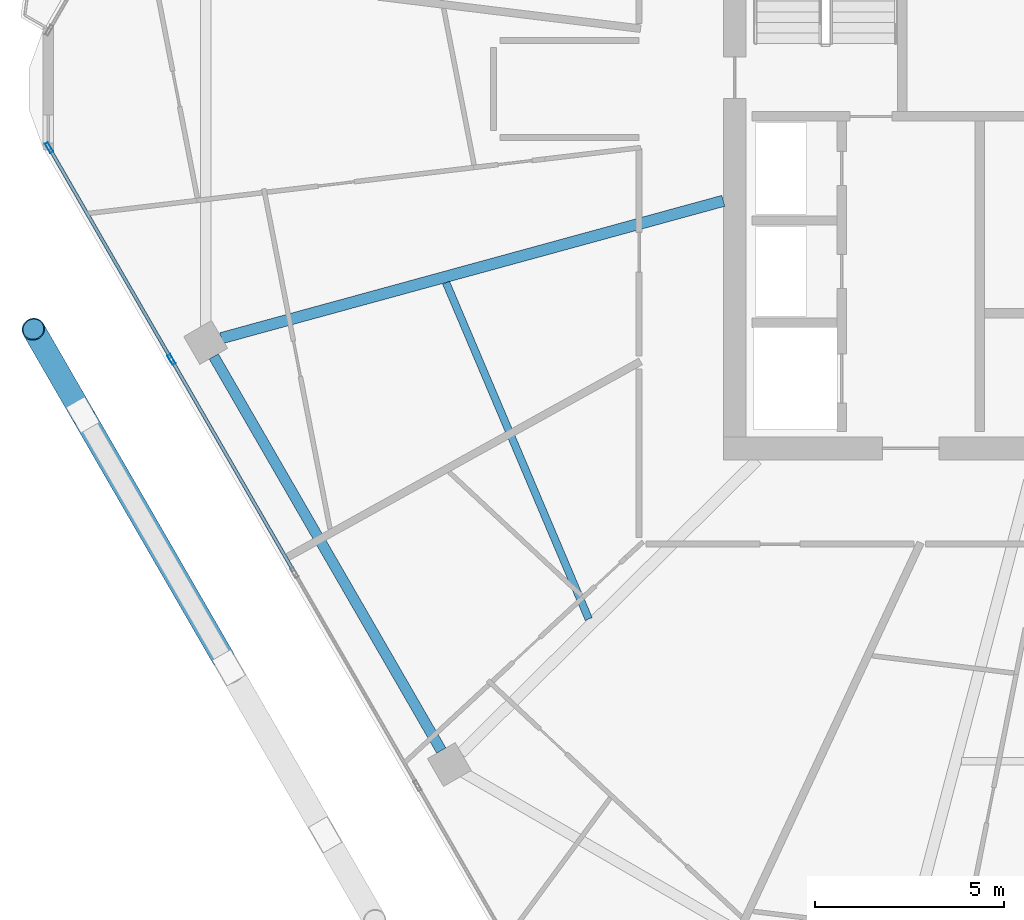
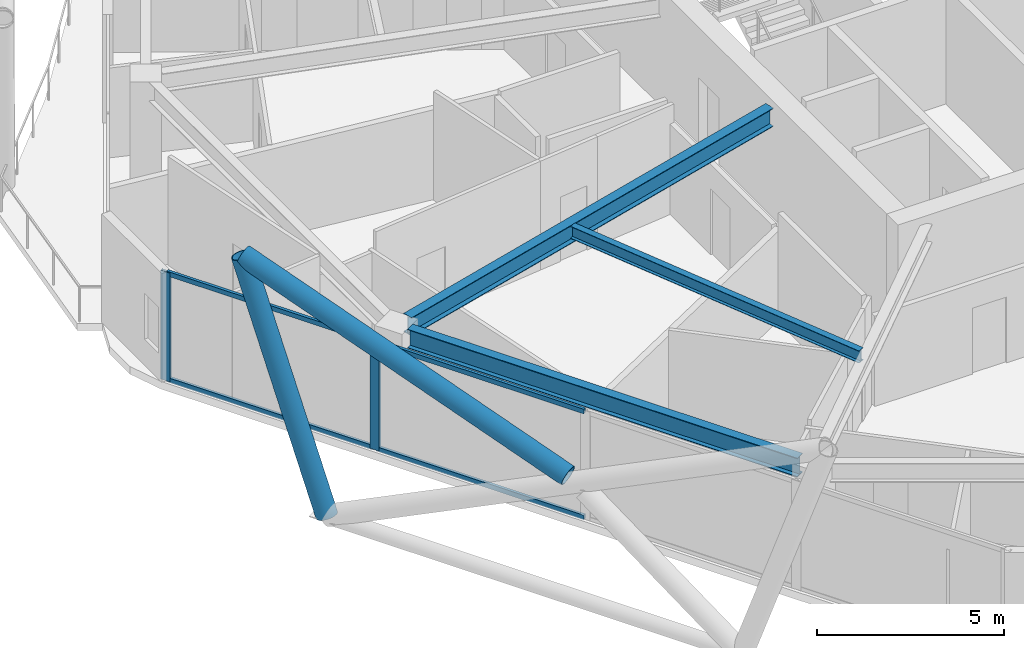
# One storey, part 5 of 29: 8 members, 3 beams, 1 element without a shape of its own.
"""IFC4 building model written with IfcOpenShell, lengths in metres."""

from ifc_helpers import new_model, si_unit, direction, frame, origin, origin_2d, place, context, subcontext, project, spatial, hollow_rectangle, hollow_circle, i_section, extrude, material, material_profile, profile_set, type_object, element, aggregate, save


model = new_model("IFC4")

# Units and contexts
model_context = context("Model", 3, precision=1e-05, world=origin(), true_north=direction((0.0, 1.0)))
body_context = subcontext(model_context, "Body", "Model", "MODEL_VIEW")
ifc_project = project(units=[si_unit("LENGTHUNIT", "METRE"), si_unit("AREAUNIT", "SQUARE_METRE"), si_unit("VOLUMEUNIT", "CUBIC_METRE"), si_unit("PLANEANGLEUNIT", "RADIAN"), si_unit("MASSUNIT", "GRAM", prefix="KILO")], contexts=[model_context])

# Site, building, storey
site_placement = place(None, origin())
site = spatial("IfcSite", under=ifc_project, at=site_placement, CompositionType="ELEMENT")
building_placement = place(site_placement, origin())
building = spatial("IfcBuilding", under=site, at=building_placement, Name="Zuhravey Tower", CompositionType="ELEMENT")
storey_placement = place(building_placement, frame((0.0, 0.0, 269.199951171875)))
storey = spatial("IfcBuildingStorey", under=building, at=storey_placement, Name="L68", CompositionType="ELEMENT", Elevation=269.199951171875)

# Curtain wall, members
ifc_material_1 = material(Name="Thermally broken anodised aluminium", Category="aluminium")
curtain_wall_type = type_object("IfcCurtainWallType", Name="Zone 3-4 High-Rise Curtain Wall CW4", PredefinedType="NOTDEFINED", material=ifc_material_1)
curtain_wall_placement = place(storey_placement, origin())
curtain_wall = element("IfcCurtainWall", 1, at=curtain_wall_placement, inside=storey, type_object=curtain_wall_type, Name="L68 CW4 CW-L68-F4-1", PredefinedType="NOTDEFINED")
ifc_material_2 = material(Name="Anodised aluminium", Category="aluminium")
ifc_material_profile_1 = material_profile(ifc_material_2, hollow_rectangle(XDim=0.090087890625, YDim=0.284912109375, WallThickness=0.0048828125, at=origin_2d()), Name="ALU-RHS-90x285x5")
ifc_profile_set_1 = profile_set([ifc_material_profile_1], Name="Anodised aluminium")
member_type_1 = type_object("IfcMemberType", Name="Curtain-Wall Mullion 90x180", PredefinedType="MULLION", material=ifc_profile_set_1)
member_1_placement = place(storey_placement, frame((10.608154296875, 24.852783203125, 0.0), z_axis=(0.0, 0.0, 1.0), x_axis=(-0.866024851021, -0.500000957414, 0.0)))
member_1 = element("IfcMember", 2, at=member_1_placement, type_object=member_type_1, Name="CW4 mullion 4", PredefinedType="MULLION", context=body_context, shape_type="SweptSolid", body=[
    extrude(hollow_rectangle(XDim=0.090087890625, YDim=0.284912109375, WallThickness=0.0048828125, at=origin_2d()), origin(), (0.0, 0.0, 1.0), 3.550048828125),
])
member_2_placement = place(storey_placement, frame((7.37744140625, 30.448486328125, 0.0), z_axis=(0.0, 0.0, 1.0), x_axis=(-0.866024851021, -0.500000957414, 0.0)))
member_2 = element("IfcMember", 3, at=member_2_placement, type_object=member_type_1, Name="CW4 mullion 5", PredefinedType="MULLION", context=body_context, shape_type="SweptSolid", body=[
    extrude(hollow_rectangle(XDim=0.090087890625, YDim=0.284912109375, WallThickness=0.0048828125, at=origin_2d()), origin(), (0.0, 0.0, 1.0), 3.550048828125),
])
ifc_material_profile_2 = material_profile(ifc_material_2, hollow_rectangle(XDim=0.090087890625, YDim=0.14990234375, WallThickness=0.0048828125, at=origin_2d()), Name="ALU-RHS-90x150x5")
ifc_profile_set_2 = profile_set([ifc_material_profile_2], Name="Anodised aluminium")
member_type_2 = type_object("IfcMemberType", Name="Curtain-Wall Transom 90x150", PredefinedType="USERDEFINED", material=ifc_profile_set_2)
member_3_placement = place(storey_placement, frame((13.8388671875, 19.257080078125, 0.045166015625), z_axis=(-0.499998017366, 0.866026548456, 0.0), x_axis=(-0.866026548456, -0.499998017366, 0.0)))
member_3 = element("IfcMember", 4, at=member_3_placement, type_object=member_type_2, Name="CW4 transom 3.1", ObjectType="TRANSOM", PredefinedType="USERDEFINED", context=body_context, shape_type="SweptSolid", body=[
    extrude(hollow_rectangle(XDim=0.090087890625, YDim=0.14990234375, WallThickness=0.0048828125, at=origin_2d()), origin(), (0.0, 0.0, 1.0), 6.41650390625),
])
member_4_placement = place(storey_placement, frame((13.8388671875, 19.257080078125, 3.505126953125), z_axis=(-0.499998017366, 0.866026548456, 0.0), x_axis=(-0.866026548456, -0.499998017366, 0.0)))
member_4 = element("IfcMember", 5, at=member_4_placement, type_object=member_type_2, Name="CW4 transom 3.2", ObjectType="TRANSOM", PredefinedType="USERDEFINED", context=body_context, shape_type="SweptSolid", body=[
    extrude(hollow_rectangle(XDim=0.090087890625, YDim=0.14990234375, WallThickness=0.0048828125, at=origin_2d()), origin(), (0.0, 0.0, 1.0), 6.41650390625),
])
member_5_placement = place(storey_placement, frame((10.585693359375, 24.891845703125, 0.045166015625), z_axis=(-0.500008810174, 0.866020317169, 0.0), x_axis=(-0.866020317169, -0.500008810174, 0.0)))
member_5 = element("IfcMember", 6, at=member_5_placement, type_object=member_type_2, Name="CW4 transom 4.1", ObjectType="TRANSOM", PredefinedType="USERDEFINED", context=body_context, shape_type="SweptSolid", body=[
    extrude(hollow_rectangle(XDim=0.090087890625, YDim=0.14990234375, WallThickness=0.0048828125, at=origin_2d()), origin(), (0.0, 0.0, 1.0), 6.37158203125),
])
member_6_placement = place(storey_placement, frame((10.585693359375, 24.891845703125, 3.505126953125), z_axis=(-0.500008810174, 0.866020317169, 0.0), x_axis=(-0.866020317169, -0.500008810174, 0.0)))
member_6 = element("IfcMember", 7, at=member_6_placement, type_object=member_type_2, Name="CW4 transom 4.2", ObjectType="TRANSOM", PredefinedType="USERDEFINED", context=body_context, shape_type="SweptSolid", body=[
    extrude(hollow_rectangle(XDim=0.090087890625, YDim=0.14990234375, WallThickness=0.0048828125, at=origin_2d()), origin(), (0.0, 0.0, 1.0), 6.37158203125),
])
aggregate(curtain_wall, [member_1, member_2, member_3, member_4, member_5, member_6])

# Members
ifc_material_3 = material(Name="Steel SM355", Category="steel")
ifc_material_profile_3 = material_profile(ifc_material_3, hollow_circle(Radius=0.3046875, WallThickness=0.028076171875, at=origin_2d()), Name="CHS-609.6x28")
ifc_profile_set_3 = profile_set([ifc_material_profile_3], Name="Steel SM355")
member_type_3 = type_object("IfcMemberType", Name="Exoskeleton Zone 3 Diagrid CHS610x28", PredefinedType="BRACE", material=ifc_profile_set_3)
member_7_placement = place(storey_placement, frame((8.26416015625, 23.392822265625, -0.446044921875), z_axis=(-0.163025919799, 0.282358574176, 0.945355057671), x_axis=(-0.866017274468, -0.500014080125, 0.0)))
element("IfcMember", 8, at=member_7_placement, inside=storey, type_object=member_type_3, Name="L68 Face 4 Diagrid Brace 1", PredefinedType="BRACE", context=body_context, shape_type="SweptSolid", body=[
    extrude(hollow_circle(Radius=0.3046875, WallThickness=0.028076171875, at=origin_2d()), origin(), (0.0, 0.0, 1.0), 8.00146484375),
])
member_8_placement = place(storey_placement, frame((11.988037109375, 16.943115234375, 3.437744140625), z_axis=(-0.46931500649, 0.812854505639, 0.344979676714), x_axis=(-0.866019296191, -0.500010578514, 0.0)))
element("IfcMember", 9, at=member_8_placement, inside=storey, type_object=member_type_3, Name="L68 Face 4 Split Diagrid Brace 3B", PredefinedType="BRACE", context=body_context, shape_type="SweptSolid", body=[
    extrude(hollow_circle(Radius=0.3046875, WallThickness=0.028076171875, at=origin_2d()), origin(), (0.0, 0.0, 1.0), 10.679931640625),
])

# Beams
ifc_material_profile_4 = material_profile(ifc_material_3, i_section(OverallWidth=0.280029296875, OverallDepth=0.6201171875, WebThickness=0.011962890625, FlangeThickness=0.02001953125, at=origin_2d()), Name="H-620x280x12x20")
ifc_profile_set_4 = profile_set([ifc_material_profile_4], Name="Steel SM355")
beam_type_1 = type_object("IfcBeamType", Name="Perimeter Ring Beam H620x280", PredefinedType="BEAM", material=ifc_profile_set_4)
beam_1_placement = place(storey_placement, frame((11.7294921875, 24.930419921875, 3.239990234375), z_axis=(0.500005971936, -0.866021955858, 0.0), x_axis=(0.866021955858, 0.500005971936, 0.0)))
element("IfcBeam", 10, at=beam_1_placement, inside=storey, type_object=beam_type_1, Name="L68 PB3 BM-L68-PB-07", PredefinedType="BEAM", context=body_context, shape_type="SweptSolid", body=[
    extrude(i_section(OverallWidth=0.280029296875, OverallDepth=0.6201171875, WebThickness=0.011962890625, FlangeThickness=0.02001953125, at=origin_2d()), origin(), (0.0, 0.0, 1.0), 12.025634765625),
])
ifc_material_profile_5 = material_profile(ifc_material_3, i_section(OverallWidth=0.300048828125, OverallDepth=0.60009765625, WebThickness=0.011962890625, FlangeThickness=0.02001953125, at=origin_2d()), Name="H-600x300x12x20")
ifc_profile_set_5 = profile_set([ifc_material_profile_5], Name="Steel SM355")
beam_type_2 = type_object("IfcBeamType", Name="Radial Primary Girder H600x300", PredefinedType="BEAM", material=ifc_profile_set_5)
beam_2_placement = place(storey_placement, frame((25.197021484375, 29.04443359375, 3.25), z_axis=(-0.964549305009, -0.263902705947, 0.0), x_axis=(0.263902705947, -0.964549305009, 0.0)))
element("IfcBeam", 11, at=beam_2_placement, inside=storey, type_object=beam_type_2, Name="L68 RG3 BM-L68-RAD-07", PredefinedType="BEAM", context=body_context, shape_type="SweptSolid", body=[
    extrude(i_section(OverallWidth=0.300048828125, OverallDepth=0.60009765625, WebThickness=0.011962890625, FlangeThickness=0.02001953125, at=origin_2d()), origin(), (0.0, 0.0, 1.0), 13.756591796875),
])
ifc_material_profile_6 = material_profile(ifc_material_3, i_section(OverallWidth=0.199951171875, OverallDepth=0.39990234375, WebThickness=0.008056640625, FlangeThickness=0.012939453125, at=origin_2d()), Name="H-400x200x8x13")
ifc_profile_set_6 = profile_set([ifc_material_profile_6], Name="Steel SM355")
beam_type_3 = type_object("IfcBeamType", Name="Secondary Floor Joist H400x200", PredefinedType="JOIST", material=ifc_profile_set_6)
beam_3_placement = place(storey_placement, frame((17.869140625, 26.881103515625, 3.35009765625), z_axis=(0.390413493754, -0.920639616731, 0.0), x_axis=(0.920639616731, 0.390413493754, 0.0)))
element("IfcBeam", 12, at=beam_3_placement, inside=storey, type_object=beam_type_3, Name="L68 SJ2 BM-L68-SJ-07-1", PredefinedType="JOIST", context=body_context, shape_type="SweptSolid", body=[
    extrude(i_section(OverallWidth=0.199951171875, OverallDepth=0.39990234375, WebThickness=0.008056640625, FlangeThickness=0.012939453125, at=origin_2d()), origin(), (0.0, 0.0, 1.0), 9.656494140625),
])

save(model, "model.ifc")
